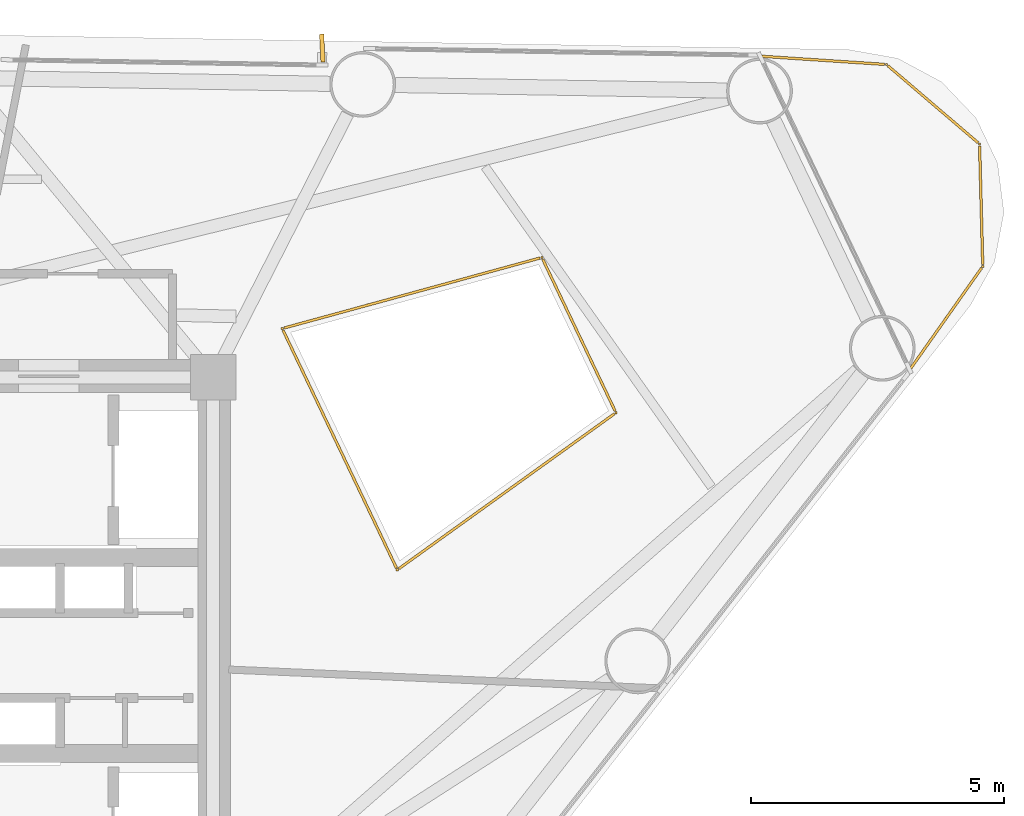
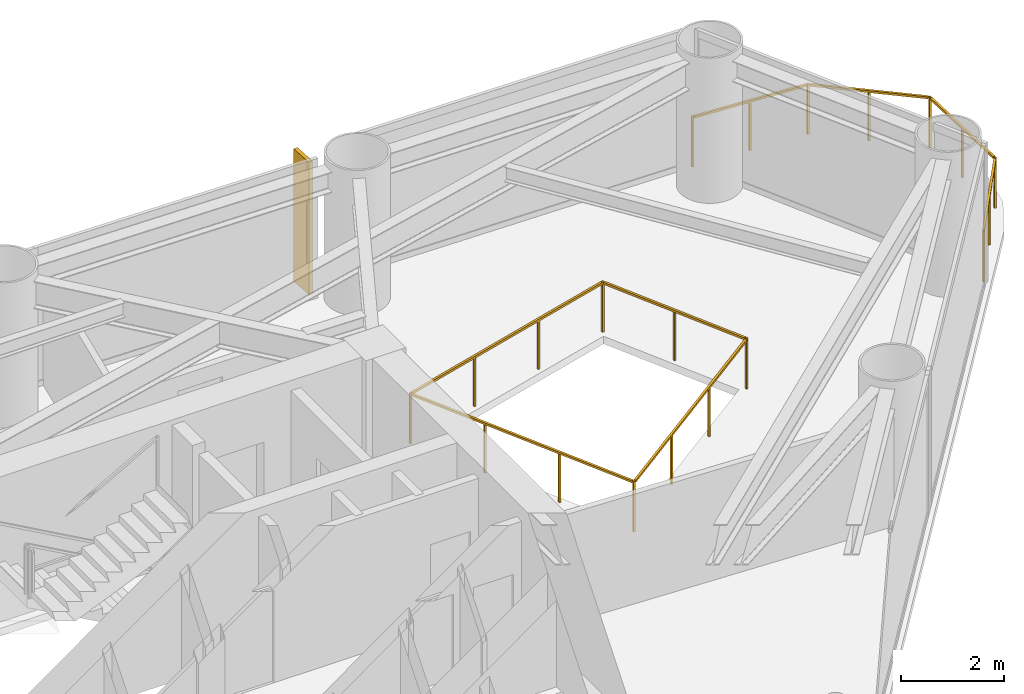
# One storey, part 10 of 10: 2 railings, 1 shading device.
"""IFC4 building model written with IfcOpenShell, lengths in metres."""

from ifc_helpers import new_model, si_unit, direction, frame, origin, origin_2d, place, context, subcontext, project, spatial, rectangle, extrude, source, transform, mapped, material, material_profile, profile_set, type_object, element, save


model = new_model("IFC4")

# Units and contexts
model_context = context("Model", 3, precision=1e-05, world=origin(), true_north=direction((0.0, 1.0)))
body_context = subcontext(model_context, "Body", "Model", "MODEL_VIEW")
ifc_project = project(units=[si_unit("LENGTHUNIT", "METRE"), si_unit("AREAUNIT", "SQUARE_METRE"), si_unit("VOLUMEUNIT", "CUBIC_METRE"), si_unit("PLANEANGLEUNIT", "RADIAN"), si_unit("MASSUNIT", "GRAM", prefix="KILO")], contexts=[model_context])

# Site, building, storey
site_placement = place(None, origin())
site = spatial("IfcSite", under=ifc_project, at=site_placement, CompositionType="ELEMENT")
building_placement = place(site_placement, origin())
building = spatial("IfcBuilding", under=site, at=building_placement, Name="Yunling Apex Tower", CompositionType="ELEMENT")
storey_placement = place(building_placement, frame((0.0, 0.0, 136.39990234375)))
storey = spatial("IfcBuildingStorey", under=building, at=storey_placement, Name="L33", CompositionType="ELEMENT", Elevation=136.39990234375)

# Railings
ifc_material = material(Name="Bronze anodised aluminium", Category="aluminium")
railing_type = type_object("IfcRailingType", Name="RL-BAL-1200", PredefinedType="BALUSTRADE", material=ifc_material)
railing_1_placement = place(storey_placement, frame((16.8701171875, 11.853515625, 0.0)))
element("IfcRailing", 1, at=railing_1_placement, inside=storey, type_object=railing_type, Name="RL-CRNSILL-L33-1", PredefinedType="BALUSTRADE", context=body_context, shape_type="SweptSolid", body=[
    extrude(rectangle(XDim=0.0439453125, YDim=0.0439453125, at=origin_2d()), origin(), (0.0, 0.0, 1.0), 1.199951171875),
    extrude(rectangle(XDim=0.0439453125, YDim=0.0439453125, at=origin_2d()), frame((2.498779296875, -0.164794921875, 0.0)), (0.0, 0.0, 1.0), 1.199951171875),
    extrude(rectangle(XDim=0.050048828125, YDim=0.050048828125, at=origin_2d()), frame((0.038330078125, -0.00244140625, 1.1748046875), z_axis=(0.99783235592, -0.065807214484, 0.0), x_axis=(0.065807214484, 0.99783235592, 0.0)), (0.0, 0.0, 1.0), 2.427490234375),
    extrude(rectangle(XDim=0.0439453125, YDim=0.0439453125, at=origin_2d()), frame((1.24951171875, -0.08251953125, 0.0)), (0.0, 0.0, 1.0), 1.14599609375),
    extrude(rectangle(XDim=0.0439453125, YDim=0.0439453125, at=origin_2d()), frame((4.339599609375, -1.737060546875, 0.0)), (0.0, 0.0, 1.0), 1.199951171875),
    extrude(rectangle(XDim=0.050048828125, YDim=0.050048828125, at=origin_2d()), frame((2.52783203125, -0.189697265625, 1.1748046875), z_axis=(0.760394429478, -0.649461555151, 0.0), x_axis=(0.649461555151, 0.760394429478, 0.0)), (0.0, 0.0, 1.0), 2.34423828125),
    extrude(rectangle(XDim=0.0439453125, YDim=0.0439453125, at=origin_2d()), frame((3.419189453125, -0.950927734375, 0.0)), (0.0, 0.0, 1.0), 1.14599609375),
    extrude(rectangle(XDim=0.0439453125, YDim=0.0439453125, at=origin_2d()), frame((4.403076171875, -4.156982421875, 0.0)), (0.0, 0.0, 1.0), 1.199951171875),
    extrude(rectangle(XDim=0.050048828125, YDim=0.050048828125, at=origin_2d()), frame((4.340576171875, -1.775390625, 1.1748046875), z_axis=(0.026221811823, -0.999656149176, 0.0), x_axis=(0.999656149176, 0.026221811823, 0.0)), (0.0, 0.0, 1.0), 2.343994140625),
    extrude(rectangle(XDim=0.0439453125, YDim=0.0439453125, at=origin_2d()), frame((4.371337890625, -2.947021484375, 0.0)), (0.0, 0.0, 1.0), 1.14599609375),
    extrude(rectangle(XDim=0.0439453125, YDim=0.0439453125, at=origin_2d()), frame((2.95849609375, -6.20263671875, 0.0)), (0.0, 0.0, 1.0), 1.199951171875),
    extrude(rectangle(XDim=0.050048828125, YDim=0.050048828125, at=origin_2d()), frame((4.380859375, -4.188232421875, 1.1748046875), z_axis=(-0.576840114355, -0.816857075914, 0.0), x_axis=(0.816857075914, -0.576840114355, 0.0)), (0.0, 0.0, 1.0), 2.427734375),
    extrude(rectangle(XDim=0.0439453125, YDim=0.0439453125, at=origin_2d()), frame((3.6806640625, -5.1796875, 0.0)), (0.0, 0.0, 1.0), 1.14599609375),
])
railing_2_placement = place(storey_placement, frame((7.41845703125, 6.46728515625, 0.0)))
element("IfcRailing", 2, at=railing_2_placement, inside=storey, type_object=railing_type, Name="RL-TATR-L33", PredefinedType="BALUSTRADE", context=body_context, shape_type="SweptSolid", body=[
    extrude(rectangle(XDim=0.0439453125, YDim=0.0439453125, at=origin_2d()), origin(), (0.0, 0.0, 1.0), 1.199951171875),
    extrude(rectangle(XDim=0.0439453125, YDim=0.0439453125, at=origin_2d()), frame((5.135498046875, 1.404541015625, 0.0)), (0.0, 0.0, 1.0), 1.199951171875),
    extrude(rectangle(XDim=0.050048828125, YDim=0.050048828125, at=origin_2d()), frame((0.036865234375, 0.010009765625, 1.1748046875), z_axis=(0.964575212807, 0.263807996162, 0.0), x_axis=(-0.263807996162, 0.964575212807, 0.0)), (0.0, 0.0, 1.0), 5.24755859375),
    extrude(rectangle(XDim=0.0439453125, YDim=0.0439453125, at=origin_2d()), frame((1.7119140625, 0.46826171875, 0.0)), (0.0, 0.0, 1.0), 1.14599609375),
    extrude(rectangle(XDim=0.0439453125, YDim=0.0439453125, at=origin_2d()), frame((3.423583984375, 0.936279296875, 0.0)), (0.0, 0.0, 1.0), 1.14599609375),
    extrude(rectangle(XDim=0.0439453125, YDim=0.0439453125, at=origin_2d()), frame((6.599609375, -1.664794921875, 0.0)), (0.0, 0.0, 1.0), 1.199951171875),
    extrude(rectangle(XDim=0.050048828125, YDim=0.050048828125, at=origin_2d()), frame((5.152099609375, 1.369873046875, 1.1748046875), z_axis=(0.430538211034, -0.902572351028, 0.0), x_axis=(0.902572351028, 0.430538211034, 0.0)), (0.0, 0.0, 1.0), 3.323974609375),
    extrude(rectangle(XDim=0.0439453125, YDim=0.0439453125, at=origin_2d()), frame((5.86767578125, -0.130126953125, 0.0)), (0.0, 0.0, 1.0), 1.14599609375),
    extrude(rectangle(XDim=0.0439453125, YDim=0.0439453125, at=origin_2d()), frame((2.276123046875, -4.77197265625, 0.0)), (0.0, 0.0, 1.0), 1.199951171875),
    extrude(rectangle(XDim=0.050048828125, YDim=0.050048828125, at=origin_2d()), frame((6.568603515625, -1.687255859375, 1.1748046875), z_axis=(-0.812044572196, -0.583595418733, 0.0), x_axis=(0.583595418733, -0.812044572196, 0.0)), (0.0, 0.0, 1.0), 5.24755859375),
    extrude(rectangle(XDim=0.0439453125, YDim=0.0439453125, at=origin_2d()), frame((5.158447265625, -2.700439453125, 0.0)), (0.0, 0.0, 1.0), 1.14599609375),
    extrude(rectangle(XDim=0.0439453125, YDim=0.0439453125, at=origin_2d()), frame((3.71728515625, -3.736328125, 0.0)), (0.0, 0.0, 1.0), 1.14599609375),
    extrude(rectangle(XDim=0.050048828125, YDim=0.050048828125, at=origin_2d()), frame((2.259521484375, -4.7373046875, 1.1748046875), z_axis=(-0.430512460038, 0.902584634121, 0.0), x_axis=(-0.902584634121, -0.430512460038, 0.0)), (0.0, 0.0, 1.0), 5.21044921875),
    extrude(rectangle(XDim=0.0439453125, YDim=0.0439453125, at=origin_2d()), frame((1.517333984375, -3.181396484375, 0.0)), (0.0, 0.0, 1.0), 1.14599609375),
    extrude(rectangle(XDim=0.0439453125, YDim=0.0439453125, at=origin_2d()), frame((0.7587890625, -1.590576171875, 0.0)), (0.0, 0.0, 1.0), 1.14599609375),
])

# Shading device
ifc_material_profile = material_profile(ifc_material, rectangle(XDim=0.0849609375, YDim=0.550048828125, at=origin_2d()))
ifc_profile_set = profile_set([ifc_material_profile], Name="Bronze anodised aluminium")
shading_device_type = type_object("IfcShadingDeviceType", Name="FN-BRZ-3", PredefinedType="USERDEFINED", material=ifc_profile_set)
shared_shape = source(origin(), body_context, "Body", "SweptSolid", [
    extrude(rectangle(XDim=0.0849609375, YDim=0.550048828125, at=origin_2d()), origin(), (0.0, 0.0, 1.0), 3.14990234375),
])
shading_device_placement = place(storey_placement, frame((8.21142578125, 12.013671875, 0.06005859375), z_axis=(0.0, 0.0, 1.0), x_axis=(-0.998814648022, -0.048675444496, 0.0)))
element("IfcShadingDevice", 3, at=shading_device_placement, inside=storey, type_object=shading_device_type, Name="CW-L33-F2-B2-FIN-01", ObjectType="FIN", PredefinedType="USERDEFINED", context=body_context, shape_type="MappedRepresentation", body=[
    mapped(shared_shape, transform((0.0, 0.0, 0.0), scale=1.0)),
])

save(model, "model.ifc")
